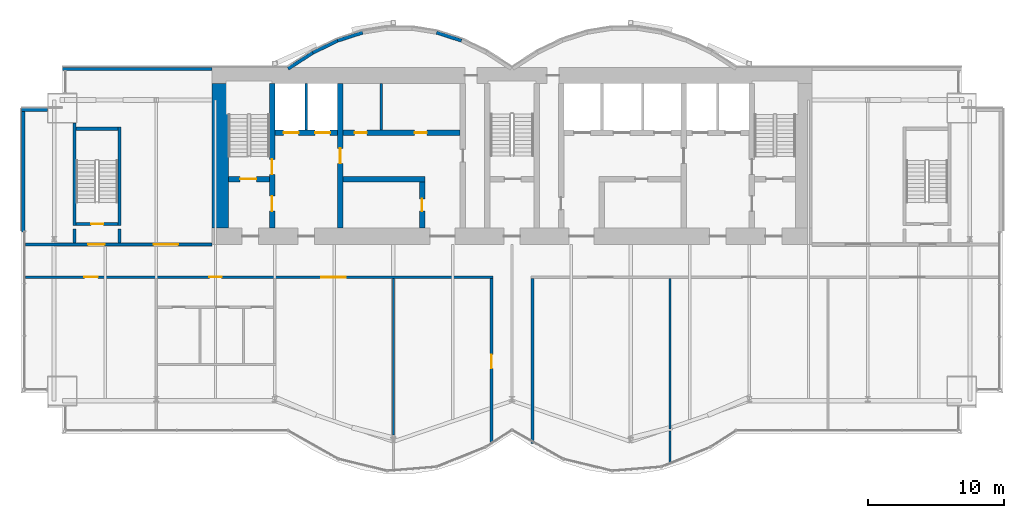
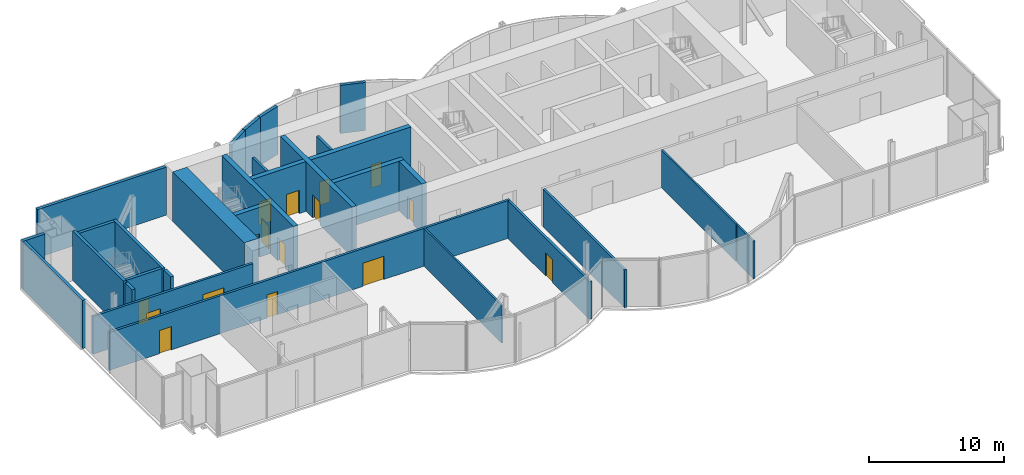
# One storey, part 12 of 18: 29 walls, 16 doors, 16 openings.
"""IFC4 building model written with IfcOpenShell, lengths in metres."""

from ifc_helpers import new_model, si_unit, direction, frame, frame_2d, origin, place, context, subcontext, project, spatial, rectangle, extrude, material, layer, layer_set, layer_usage, type_object, element, fill, save


model = new_model("IFC4")

# Units and contexts
model_context = context("Model", 3, precision=1e-05, world=origin(), true_north=direction((0.0, 1.0)))
body_context = subcontext(model_context, "Body", "Model", "MODEL_VIEW")
ifc_project = project(units=[si_unit("LENGTHUNIT", "METRE"), si_unit("AREAUNIT", "SQUARE_METRE"), si_unit("VOLUMEUNIT", "CUBIC_METRE"), si_unit("PLANEANGLEUNIT", "RADIAN"), si_unit("MASSUNIT", "GRAM", prefix="KILO")], contexts=[model_context])

# Site, building, storey
site_placement = place(None, origin())
site = spatial("IfcSite", under=ifc_project, at=site_placement, CompositionType="ELEMENT")
building_placement = place(site_placement, origin())
building = spatial("IfcBuilding", under=site, at=building_placement, Name="Bicima Exchange Tower", CompositionType="ELEMENT")
storey_placement = place(building_placement, frame((0.0, 0.0, 302.0)))
storey = spatial("IfcBuildingStorey", under=building, at=storey_placement, Name="L68", CompositionType="ELEMENT", Elevation=302.0)

# Wall
ifc_material_1 = material(Name="Gypsum board partition")
ifc_layer_1 = layer(ifc_material_1, 0.199951171875)
ifc_layer_set_1 = layer_set([ifc_layer_1], Name="Gypsum board partition")
wall_type_1 = type_object("IfcWallType", Name="Fire-rated gypsum partition 200 EI120", PredefinedType="PARTITIONING", material=ifc_layer_set_1)
wall_1_placement = place(storey_placement, frame((-15.10009765625, -4.60009765625, 0.0), z_axis=(0.0, 0.0, 1.0), x_axis=(0.0, 1.0, 0.0)))
element("IfcWall", 1, at=wall_1_placement, inside=storey, type_object=wall_type_1, Name="partition wall 9", PredefinedType="PARTITIONING", context=body_context, shape_type="SweptSolid", body=[
    extrude(rectangle(XDim=3.400146484375, YDim=0.199951171875, at=frame_2d((1.7001953125, 0.0))), origin(), (0.0, 0.0, 1.0), 3.418212890625),
])

# Wall, openings, doors
ifc_layer_2 = layer(ifc_material_1, 0.199951171875)
ifc_layer_set_2 = layer_set([ifc_layer_2], Name="Gypsum board partition")
wall_type_2 = type_object("IfcWallType", Name="Fire-rated gypsum partition 200 EI60", PredefinedType="PARTITIONING", material=ifc_layer_set_2)
wall_2_placement = place(storey_placement, frame((-35.679931640625, -15.39990234375, 0.0), z_axis=(0.0, 0.0, 1.0), x_axis=(1.0, 0.0, 0.0)))
wall_2 = element("IfcWall", 2, at=wall_2_placement, inside=storey, type_object=wall_type_2, Name="partition wall 3", PredefinedType="PARTITIONING", context=body_context, shape_type="SweptSolid", body=[
    extrude(rectangle(XDim=34.280029296875, YDim=0.199951171875, at=frame_2d((17.14013671875, 0.0))), origin(), (0.0, 0.0, 1.0), 3.418212890625),
])
opening_1_placement = place(wall_2_placement, frame((4.300048828125, 0.0, 0.0)))
opening_1 = element("IfcOpeningElement", 3, at=opening_1_placement, cuts=wall_2, Name="Opening L68-007", PredefinedType="OPENING", context=body_context, shape_type="SweptSolid", body=[
    extrude(rectangle(XDim=1.0, YDim=2.10009765625, at=frame_2d((0.5, 1.050048828125))), frame((0.0, 0.11181640625, 0.0), z_axis=(0.0, -1.0, 0.0), x_axis=(1.0, 0.0, 0.0)), (0.0, 0.0, 1.0), 0.223876953125),
])
opening_2_placement = place(wall_2_placement, frame((13.47998046875, 0.0, 0.0)))
opening_2 = element("IfcOpeningElement", 4, at=opening_2_placement, cuts=wall_2, Name="Opening L68-008", PredefinedType="OPENING", context=body_context, shape_type="SweptSolid", body=[
    extrude(rectangle(XDim=0.89990234375, YDim=2.10009765625, at=frame_2d((0.449951171875, 1.050048828125))), frame((0.0, 0.11181640625, 0.0), z_axis=(0.0, -1.0, 0.0), x_axis=(1.0, 0.0, 0.0)), (0.0, 0.0, 1.0), 0.223876953125),
])
opening_3_placement = place(wall_2_placement, frame((21.679931640625, 0.0, 0.0)))
opening_3 = element("IfcOpeningElement", 5, at=opening_3_placement, cuts=wall_2, Name="Opening L68-012", PredefinedType="OPENING", context=body_context, shape_type="SweptSolid", body=[
    extrude(rectangle(XDim=1.800048828125, YDim=2.10009765625, at=frame_2d((0.89990234375, 1.050048828125))), frame((0.0, 0.11181640625, 0.0), z_axis=(0.0, -1.0, 0.0), x_axis=(1.0, 0.0, 0.0)), (0.0, 0.0, 1.0), 0.223876953125),
])
ifc_material_2 = material(Name="Steel fire door leaf", Category="steel")
door_type_1 = type_object("IfcDoorType", Name="Door 1000 swing FD30S", OperationType="SINGLE_SWING_LEFT", PredefinedType="DOOR", material=ifc_material_2)
door_1_placement = place(opening_1_placement, frame((1.0, 0.0, 0.0), z_axis=(0.0, 0.0, 1.0), x_axis=(-1.0, 0.0, 0.0)))
door_1 = element("IfcDoor", 6, at=door_1_placement, inside=storey, type_object=door_type_1, Name="Door", OperationType="SINGLE_SWING_LEFT", OverallHeight=2.10009765625, OverallWidth=1.0, PredefinedType="DOOR", context=body_context, shape_type="SweptSolid", body=[
    extrude(rectangle(XDim=1.0, YDim=2.10009765625, at=frame_2d((0.5, 1.050048828125))), frame((0.0, 0.02490234375, 0.0), z_axis=(0.0, -1.0, 0.0), x_axis=(1.0, 0.0, 0.0)), (0.0, 0.0, 1.0), 0.050048828125),
])
fill(opening_1, door_1)
door_type_2 = type_object("IfcDoorType", Name="Door 1800 double swing FD30S", OperationType="DOUBLE_DOOR_SINGLE_SWING", PredefinedType="DOOR", material=ifc_material_2)
door_2_placement = place(opening_3_placement, origin())
door_2 = element("IfcDoor", 7, at=door_2_placement, inside=storey, type_object=door_type_2, Name="Door", OperationType="SINGLE_SWING_LEFT", OverallHeight=2.10009765625, OverallWidth=1.800048828125, PredefinedType="DOOR", context=body_context, shape_type="SweptSolid", body=[
    extrude(rectangle(XDim=1.800048828125, YDim=2.10009765625, at=frame_2d((0.89990234375, 1.050048828125))), frame((0.0, 0.02490234375, 0.0), z_axis=(0.0, -1.0, 0.0), x_axis=(1.0, 0.0, 0.0)), (0.0, 0.0, 1.0), 0.050048828125),
])
fill(opening_3, door_2)
door_type_3 = type_object("IfcDoorType", Name="Door 900 swing FD30S", OperationType="SINGLE_SWING_LEFT", PredefinedType="DOOR", material=ifc_material_2)
door_3_placement = place(opening_2_placement, frame((0.89990234375, 0.0, 0.0), z_axis=(0.0, 0.0, 1.0), x_axis=(-1.0, 0.0, 0.0)))
door_3 = element("IfcDoor", 8, at=door_3_placement, inside=storey, type_object=door_type_3, Name="Door", OperationType="SINGLE_SWING_RIGHT", OverallHeight=2.10009765625, OverallWidth=0.89990234375, PredefinedType="DOOR", context=body_context, shape_type="SweptSolid", body=[
    extrude(rectangle(XDim=0.89990234375, YDim=2.10009765625, at=frame_2d((0.449951171875, 1.050048828125))), frame((0.0, 0.02490234375, 0.0), z_axis=(0.0, -1.0, 0.0), x_axis=(1.0, 0.0, 0.0)), (0.0, 0.0, 1.0), 0.050048828125),
])
fill(opening_2, door_3)

wall_3_placement = place(storey_placement, frame((-35.679931640625, -13.0, 0.0), z_axis=(0.0, 0.0, 1.0), x_axis=(1.0, 0.0, 0.0)))
wall_3 = element("IfcWall", 9, at=wall_3_placement, inside=storey, type_object=wall_type_2, Name="partition wall 5", PredefinedType="PARTITIONING", context=body_context, shape_type="SweptSolid", body=[
    extrude(rectangle(XDim=13.679931640625, YDim=0.199951171875, at=frame_2d((6.83984375, 0.0))), origin(), (0.0, 0.0, 1.0), 3.418212890625),
])
opening_4_placement = place(wall_3_placement, frame((4.580078125, 0.0, 0.0)))
opening_4 = element("IfcOpeningElement", 10, at=opening_4_placement, cuts=wall_3, Name="Opening L68-001", PredefinedType="OPENING", context=body_context, shape_type="SweptSolid", body=[
    extrude(rectangle(XDim=1.199951171875, YDim=2.10009765625, at=frame_2d((0.60009765625, 1.050048828125))), frame((0.0, 0.11181640625, 0.0), z_axis=(0.0, -1.0, 0.0), x_axis=(1.0, 0.0, 0.0)), (0.0, 0.0, 1.0), 0.223876953125),
])
opening_5_placement = place(wall_3_placement, frame((9.3798828125, 0.0, 0.0)))
opening_5 = element("IfcOpeningElement", 11, at=opening_5_placement, cuts=wall_3, Name="Opening L68-005", PredefinedType="OPENING", context=body_context, shape_type="SweptSolid", body=[
    extrude(rectangle(XDim=1.800048828125, YDim=2.10009765625, at=frame_2d((0.89990234375, 1.050048828125))), frame((0.0, 0.11181640625, 0.0), z_axis=(0.0, -1.0, 0.0), x_axis=(1.0, 0.0, 0.0)), (0.0, 0.0, 1.0), 0.223876953125),
])
door_type_4 = type_object("IfcDoorType", Name="Door 1200 swing FD30S", OperationType="SINGLE_SWING_LEFT", PredefinedType="DOOR", material=ifc_material_2)
door_4_placement = place(opening_4_placement, origin())
door_4 = element("IfcDoor", 12, at=door_4_placement, inside=storey, type_object=door_type_4, Name="Door", OperationType="SINGLE_SWING_LEFT", OverallHeight=2.10009765625, OverallWidth=1.199951171875, PredefinedType="DOOR", context=body_context, shape_type="SweptSolid", body=[
    extrude(rectangle(XDim=1.199951171875, YDim=2.10009765625, at=frame_2d((0.60009765625, 1.050048828125))), frame((0.0, 0.02490234375, 0.0), z_axis=(0.0, -1.0, 0.0), x_axis=(1.0, 0.0, 0.0)), (0.0, 0.0, 1.0), 0.050048828125),
])
fill(opening_4, door_4)
door_5_placement = place(opening_5_placement, origin())
door_5 = element("IfcDoor", 13, at=door_5_placement, inside=storey, type_object=door_type_2, Name="Door", OperationType="SINGLE_SWING_LEFT", OverallHeight=2.10009765625, OverallWidth=1.800048828125, PredefinedType="DOOR", context=body_context, shape_type="SweptSolid", body=[
    extrude(rectangle(XDim=1.800048828125, YDim=2.10009765625, at=frame_2d((0.89990234375, 1.050048828125))), frame((0.0, 0.02490234375, 0.0), z_axis=(0.0, -1.0, 0.0), x_axis=(1.0, 0.0, 0.0)), (0.0, 0.0, 1.0), 0.050048828125),
])
fill(opening_5, door_5)

# Wall, opening, door
wall_4_placement = place(storey_placement, frame((-1.5, -27.590087890625, 0.0), z_axis=(0.0, 0.0, 1.0), x_axis=(0.0, 1.0, 0.0)))
wall_4 = element("IfcWall", 14, at=wall_4_placement, inside=storey, type_object=wall_type_2, Name="partition wall 19", PredefinedType="PARTITIONING", context=body_context, shape_type="SweptSolid", body=[
    extrude(rectangle(XDim=12.090087890625, YDim=0.199951171875, at=frame_2d((6.044921875, 0.0))), origin(), (0.0, 0.0, 1.0), 3.418212890625),
])
opening_6_placement = place(wall_4_placement, frame((5.5, 0.0, 0.0)))
opening_6 = element("IfcOpeningElement", 15, at=opening_6_placement, cuts=wall_4, Name="Opening L68-013", PredefinedType="OPENING", context=body_context, shape_type="SweptSolid", body=[
    extrude(rectangle(XDim=1.0, YDim=2.10009765625, at=frame_2d((0.5, 1.050048828125))), frame((0.0, 0.11181640625, 0.0), z_axis=(0.0, -1.0, 0.0), x_axis=(1.0, 0.0, 0.0)), (0.0, 0.0, 1.0), 0.223876953125),
])
door_6_placement = place(opening_6_placement, origin())
door_6 = element("IfcDoor", 16, at=door_6_placement, inside=storey, type_object=door_type_1, Name="Door", OperationType="SINGLE_SWING_LEFT", OverallHeight=2.10009765625, OverallWidth=1.0, PredefinedType="DOOR", context=body_context, shape_type="SweptSolid", body=[
    extrude(rectangle(XDim=1.0, YDim=2.10009765625, at=frame_2d((0.5, 1.050048828125))), frame((0.0, 0.02490234375, 0.0), z_axis=(0.0, -1.0, 0.0), x_axis=(1.0, 0.0, 0.0)), (0.0, 0.0, 1.0), 0.050048828125),
])
fill(opening_6, door_6)

# Walls
wall_5_placement = place(storey_placement, frame((1.5, -27.590087890625, 0.0), z_axis=(0.0, 0.0, 1.0), x_axis=(0.0, 1.0, 0.0)))
element("IfcWall", 17, at=wall_5_placement, inside=storey, type_object=wall_type_2, Name="partition wall 20", PredefinedType="PARTITIONING", context=body_context, shape_type="SweptSolid", body=[
    extrude(rectangle(XDim=12.090087890625, YDim=0.199951171875, at=frame_2d((6.044921875, 0.0))), origin(), (0.0, 0.0, 1.0), 3.418212890625),
])
wall_6_placement = place(storey_placement, frame((-9.60009765625, -4.60009765625, 0.0), z_axis=(0.0, 0.0, 1.0), x_axis=(0.0, 1.0, 0.0)))
element("IfcWall", 18, at=wall_6_placement, inside=storey, type_object=wall_type_2, Name="partition wall 11", PredefinedType="PARTITIONING", context=body_context, shape_type="SweptSolid", body=[
    extrude(rectangle(XDim=3.400146484375, YDim=0.199951171875, at=frame_2d((1.7001953125, 0.0))), origin(), (0.0, 0.0, 1.0), 3.418212890625),
])
ifc_layer_3 = layer(ifc_material_1, 0.14990234375)
ifc_layer_set_3 = layer_set([ifc_layer_3], Name="Gypsum board partition")
wall_type_3 = type_object("IfcWallType", Name="Gypsum partition 150", PredefinedType="PARTITIONING", material=ifc_layer_set_3)
wall_7_placement = place(storey_placement, frame((-8.699951171875, -26.983154296875, 0.0), z_axis=(0.0, 0.0, 1.0), x_axis=(0.0, 1.0, 0.0)))
element("IfcWall", 19, at=wall_7_placement, inside=storey, type_object=wall_type_3, Name="partition wall 18", PredefinedType="PARTITIONING", context=body_context, shape_type="SweptSolid", body=[
    extrude(rectangle(XDim=11.483154296875, YDim=0.14990234375, at=frame_2d((5.74169921875, 0.0))), origin(), (0.0, 0.0, 1.0), 3.418212890625),
])
wall_8_placement = place(storey_placement, frame((11.60009765625, -29.1201171875, 0.0), z_axis=(0.0, 0.0, 1.0), x_axis=(0.0, 1.0, 0.0)))
element("IfcWall", 20, at=wall_8_placement, inside=storey, type_object=wall_type_3, Name="partition wall 21", PredefinedType="PARTITIONING", context=body_context, shape_type="SweptSolid", body=[
    extrude(rectangle(XDim=2.418212890625, YDim=0.14990234375, at=frame_2d((1.208984375, 0.0))), origin(), (0.0, 0.0, 1.0), 3.418212890625),
])
wall_9_placement = place(storey_placement, frame((11.60009765625, -26.55908203125, 0.0), z_axis=(0.0, 0.0, 1.0), x_axis=(0.0, 1.0, 0.0)))
element("IfcWall", 21, at=wall_9_placement, inside=storey, type_object=wall_type_3, Name="partition wall 22", PredefinedType="PARTITIONING", context=body_context, shape_type="SweptSolid", body=[
    extrude(rectangle(XDim=11.05908203125, YDim=0.14990234375, at=frame_2d((5.529541015625, 0.0))), origin(), (0.0, 0.0, 1.0), 3.418212890625),
])
ifc_material_3 = material(Name="Concrete C40/50", Category="concrete")
ifc_layer_4 = layer(ifc_material_3, 1.199951171875)
ifc_layer_set_4 = layer_set([ifc_layer_4], Name="Concrete C40/50")
wall_type_4 = type_object("IfcWallType", Name="RC core wall 1200 C40/50", PredefinedType="SHEAR", material=ifc_layer_set_4)
wall_10_placement = place(storey_placement, frame((-21.39990234375, -11.800048828125, 0.0), z_axis=(0.0, 0.0, 1.0), x_axis=(0.0, 1.0, 0.0)))
element("IfcWall", 22, at=wall_10_placement, inside=storey, type_object=wall_type_4, Name="Core wall west", PredefinedType="SHEAR", context=body_context, shape_type="SweptSolid", body=[
    extrude(rectangle(XDim=10.60009765625, YDim=1.199951171875, at=frame_2d((5.300048828125, 0.0))), origin(), (0.0, 0.0, 1.0), 4.5),
])
ifc_material_4 = material(Name="Concrete C50/60", Category="concrete")
ifc_layer_5 = layer(ifc_material_4, 0.25)
ifc_layer_set_5 = layer_set([ifc_layer_5], Name="Concrete C50/60")
wall_type_5 = type_object("IfcWallType", Name="RC core wall 250 C50/60", PredefinedType="SHEAR", material=ifc_layer_set_5)
for number, where, z_axis, x_axis, name in (
    (23, (-32.10009765625, -12.89990234375, 0.0), (0.0, 0.0, 1.0), (0.0, 1.0, 0.0), "stair wall 11"),
    (24, (-28.800048828125, -12.89990234375, 0.0), (0.0, 0.0, 1.0), (0.0, 1.0, 0.0), "stair wall 12"),
):
    element("IfcWall", number, at=place(storey_placement, frame(where, z_axis=z_axis, x_axis=x_axis)), inside=storey, type_object=wall_type_5, Name=name, PredefinedType="SHEAR", context=body_context, shape_type="SweptSolid", body=[
        extrude(rectangle(XDim=1.0498046875, YDim=0.25, at=frame_2d((0.52490234375, 0.0))), origin(), (0.0, 0.0, 1.0), 4.5),
    ])
ifc_layer_6 = layer(ifc_material_3, 0.39990234375)
ifc_layer_set_6 = layer_set([ifc_layer_6], Name="Concrete C40/50")
wall_type_6 = type_object("IfcWallType", Name="RC core wall 400 C40/50", PredefinedType="SHEAR", material=ifc_layer_set_6)
wall_11_placement = place(storey_placement, frame((-12.39990234375, -8.199951171875, 0.0), z_axis=(0.0, 0.0, 1.0), x_axis=(1.0, 0.0, 0.0)))
element("IfcWall", 25, at=wall_11_placement, inside=storey, type_object=wall_type_6, Name="shear wall 2", PredefinedType="SHEAR", context=body_context, shape_type="SweptSolid", body=[
    extrude(rectangle(XDim=6.0, YDim=0.39990234375, at=frame_2d((3.0, 0.0))), origin(), (0.0, 0.0, 1.0), 4.5),
])

# Wall, openings, doors
wall_12_placement = place(storey_placement, frame((-17.39990234375, -4.800048828125, 0.0), z_axis=(0.0, 0.0, 1.0), x_axis=(1.0, 0.0, 0.0)))
wall_12 = element("IfcWall", 26, at=wall_12_placement, inside=storey, type_object=wall_type_6, Name="shear wall 6", PredefinedType="SHEAR", context=body_context, shape_type="SweptSolid", body=[
    extrude(rectangle(XDim=13.599853515625, YDim=0.39990234375, at=frame_2d((6.7998046875, 0.0))), origin(), (0.0, 0.0, 1.0), 4.5),
])
opening_7_placement = place(wall_12_placement, frame((0.64990234375, 0.0, 0.0)))
opening_7 = element("IfcOpeningElement", 27, at=opening_7_placement, cuts=wall_12, Name="Opening LD-FF1-L68", PredefinedType="OPENING", context=body_context, shape_type="SweptSolid", body=[
    extrude(rectangle(XDim=1.10009765625, YDim=2.10009765625, at=frame_2d((0.550048828125, 1.050048828125))), frame((0.0, 0.2119140625, 0.0), z_axis=(0.0, -1.0, 0.0), x_axis=(1.0, 0.0, 0.0)), (0.0, 0.0, 1.0), 0.423828125),
])
opening_8_placement = place(wall_12_placement, frame((2.949951171875, 0.0, 0.0)))
opening_8 = element("IfcOpeningElement", 28, at=opening_8_placement, cuts=wall_12, Name="Opening LD-FF3-L68", PredefinedType="OPENING", context=body_context, shape_type="SweptSolid", body=[
    extrude(rectangle(XDim=1.10009765625, YDim=2.10009765625, at=frame_2d((0.550048828125, 1.050048828125))), frame((0.0, 0.2119140625, 0.0), z_axis=(0.0, -1.0, 0.0), x_axis=(1.0, 0.0, 0.0)), (0.0, 0.0, 1.0), 0.423828125),
])
opening_9_placement = place(wall_12_placement, frame((5.85009765625, 0.0, 0.0)))
opening_9 = element("IfcOpeningElement", 29, at=opening_9_placement, cuts=wall_12, Name="Opening L68-C12", PredefinedType="OPENING", context=body_context, shape_type="SweptSolid", body=[
    extrude(rectangle(XDim=0.89990234375, YDim=2.10009765625, at=frame_2d((0.449951171875, 1.050048828125))), frame((0.0, 0.2119140625, 0.0), z_axis=(0.0, -1.0, 0.0), x_axis=(1.0, 0.0, 0.0)), (0.0, 0.0, 1.0), 0.423828125),
])
opening_10_placement = place(wall_12_placement, frame((10.25, 0.0, 0.0)))
opening_10 = element("IfcOpeningElement", 30, at=opening_10_placement, cuts=wall_12, Name="Opening L68-C13", PredefinedType="OPENING", context=body_context, shape_type="SweptSolid", body=[
    extrude(rectangle(XDim=0.89990234375, YDim=2.10009765625, at=frame_2d((0.449951171875, 1.050048828125))), frame((0.0, 0.2119140625, 0.0), z_axis=(0.0, -1.0, 0.0), x_axis=(1.0, 0.0, 0.0)), (0.0, 0.0, 1.0), 0.423828125),
])
door_7_placement = place(opening_9_placement, origin())
door_7 = element("IfcDoor", 31, at=door_7_placement, inside=storey, type_object=door_type_3, Name="Core door", OperationType="SINGLE_SWING_RIGHT", OverallHeight=2.10009765625, OverallWidth=0.89990234375, PredefinedType="DOOR", context=body_context, shape_type="SweptSolid", body=[
    extrude(rectangle(XDim=0.89990234375, YDim=2.10009765625, at=frame_2d((0.449951171875, 1.050048828125))), frame((0.0, 0.02490234375, 0.0), z_axis=(0.0, -1.0, 0.0), x_axis=(1.0, 0.0, 0.0)), (0.0, 0.0, 1.0), 0.050048828125),
])
fill(opening_9, door_7)
door_8_placement = place(opening_10_placement, origin())
door_8 = element("IfcDoor", 32, at=door_8_placement, inside=storey, type_object=door_type_3, Name="Core door", OperationType="SINGLE_SWING_LEFT", OverallHeight=2.10009765625, OverallWidth=0.89990234375, PredefinedType="DOOR", context=body_context, shape_type="SweptSolid", body=[
    extrude(rectangle(XDim=0.89990234375, YDim=2.10009765625, at=frame_2d((0.449951171875, 1.050048828125))), frame((0.0, 0.02490234375, 0.0), z_axis=(0.0, -1.0, 0.0), x_axis=(1.0, 0.0, 0.0)), (0.0, 0.0, 1.0), 0.050048828125),
])
fill(opening_10, door_8)
ifc_material_5 = material(Name="Stainless steel", Category="steel")
door_type_5 = type_object("IfcDoorType", Name="Lift landing door 1100 sliding", OperationType="DOUBLE_DOOR_SLIDING", PredefinedType="DOOR", material=ifc_material_5)
door_9_placement = place(opening_7_placement, origin())
door_9 = element("IfcDoor", 33, at=door_9_placement, inside=storey, type_object=door_type_5, Name="Lift landing door FF1", OperationType="DOUBLE_DOOR_SLIDING", OverallHeight=2.10009765625, OverallWidth=1.10009765625, PredefinedType="DOOR", context=body_context, shape_type="SweptSolid", body=[
    extrude(rectangle(XDim=1.10009765625, YDim=2.10009765625, at=frame_2d((0.550048828125, 1.050048828125))), frame((0.0, 0.02490234375, 0.0), z_axis=(0.0, -1.0, 0.0), x_axis=(1.0, 0.0, 0.0)), (0.0, 0.0, 1.0), 0.050048828125),
])
fill(opening_7, door_9)
door_10_placement = place(opening_8_placement, origin())
door_10 = element("IfcDoor", 34, at=door_10_placement, inside=storey, type_object=door_type_5, Name="Lift landing door FF3", OperationType="DOUBLE_DOOR_SLIDING", OverallHeight=2.10009765625, OverallWidth=1.10009765625, PredefinedType="DOOR", context=body_context, shape_type="SweptSolid", body=[
    extrude(rectangle(XDim=1.10009765625, YDim=2.10009765625, at=frame_2d((0.550048828125, 1.050048828125))), frame((0.0, 0.02490234375, 0.0), z_axis=(0.0, -1.0, 0.0), x_axis=(1.0, 0.0, 0.0)), (0.0, 0.0, 1.0), 0.050048828125),
])
fill(opening_8, door_10)

# Wall, opening, door
wall_13_placement = place(storey_placement, frame((-12.60009765625, -11.800048828125, 0.0), z_axis=(0.0, 0.0, 1.0), x_axis=(0.0, 1.0, 0.0)))
wall_13 = element("IfcWall", 35, at=wall_13_placement, inside=storey, type_object=wall_type_6, Name="shear wall 10", PredefinedType="SHEAR", context=body_context, shape_type="SweptSolid", body=[
    extrude(rectangle(XDim=10.60009765625, YDim=0.39990234375, at=frame_2d((5.300048828125, 0.0))), origin(), (0.0, 0.0, 1.0), 4.5),
])
opening_11_placement = place(wall_13_placement, frame((4.75, 0.0, 0.0)))
opening_11 = element("IfcOpeningElement", 36, at=opening_11_placement, cuts=wall_13, Name="Opening L68-C07", PredefinedType="OPENING", context=body_context, shape_type="SweptSolid", body=[
    extrude(rectangle(XDim=1.10009765625, YDim=2.10009765625, at=frame_2d((0.550048828125, 1.050048828125))), frame((0.0, 0.2119140625, 0.0), z_axis=(0.0, -1.0, 0.0), x_axis=(1.0, 0.0, 0.0)), (0.0, 0.0, 1.0), 0.423828125),
])
door_type_6 = type_object("IfcDoorType", Name="Door 1100 swing FD60S", OperationType="SINGLE_SWING_LEFT", PredefinedType="DOOR", material=ifc_material_2)
door_11_placement = place(opening_11_placement, origin())
door_11 = element("IfcDoor", 37, at=door_11_placement, inside=storey, type_object=door_type_6, Name="Core door", OperationType="SINGLE_SWING_LEFT", OverallHeight=2.10009765625, OverallWidth=1.10009765625, PredefinedType="DOOR", context=body_context, shape_type="SweptSolid", body=[
    extrude(rectangle(XDim=1.10009765625, YDim=2.10009765625, at=frame_2d((0.550048828125, 1.050048828125))), frame((0.0, 0.02490234375, 0.0), z_axis=(0.0, -1.0, 0.0), x_axis=(1.0, 0.0, 0.0)), (0.0, 0.0, 1.0), 0.050048828125),
])
fill(opening_11, door_11)

wall_14_placement = place(storey_placement, frame((-6.60009765625, -11.800048828125, 0.0), z_axis=(0.0, 0.0, 1.0), x_axis=(0.0, 1.0, 0.0)))
wall_14 = element("IfcWall", 38, at=wall_14_placement, inside=storey, type_object=wall_type_6, Name="shear wall 12", PredefinedType="SHEAR", context=body_context, shape_type="SweptSolid", body=[
    extrude(rectangle(XDim=3.400146484375, YDim=0.39990234375, at=frame_2d((1.7001953125, 0.0))), origin(), (0.0, 0.0, 1.0), 4.5),
])
opening_12_placement = place(wall_14_placement, frame((1.25, 0.0, 0.0)))
opening_12 = element("IfcOpeningElement", 39, at=opening_12_placement, cuts=wall_14, Name="Opening L68-C14", PredefinedType="OPENING", context=body_context, shape_type="SweptSolid", body=[
    extrude(rectangle(XDim=0.89990234375, YDim=2.10009765625, at=frame_2d((0.449951171875, 1.050048828125))), frame((0.0, 0.2119140625, 0.0), z_axis=(0.0, -1.0, 0.0), x_axis=(1.0, 0.0, 0.0)), (0.0, 0.0, 1.0), 0.423828125),
])
door_12_placement = place(opening_12_placement, origin())
door_12 = element("IfcDoor", 40, at=door_12_placement, inside=storey, type_object=door_type_3, Name="Core door", OperationType="SINGLE_SWING_RIGHT", OverallHeight=2.10009765625, OverallWidth=0.89990234375, PredefinedType="DOOR", context=body_context, shape_type="SweptSolid", body=[
    extrude(rectangle(XDim=0.89990234375, YDim=2.10009765625, at=frame_2d((0.449951171875, 1.050048828125))), frame((0.0, 0.02490234375, 0.0), z_axis=(0.0, -1.0, 0.0), x_axis=(1.0, 0.0, 0.0)), (0.0, 0.0, 1.0), 0.050048828125),
])
fill(opening_12, door_12)

ifc_layer_7 = layer(ifc_material_4, 0.39990234375)
ifc_layer_set_7 = layer_set([ifc_layer_7], Name="Concrete C50/60")
wall_type_7 = type_object("IfcWallType", Name="RC core wall 400 C50/60", PredefinedType="SHEAR", material=ifc_layer_set_7)
wall_15_placement = place(storey_placement, frame((-20.800048828125, -8.199951171875, 0.0), z_axis=(0.0, 0.0, 1.0), x_axis=(1.0, 0.0, 0.0)))
wall_15 = element("IfcWall", 41, at=wall_15_placement, inside=storey, type_object=wall_type_7, Name="stair wall 1", PredefinedType="SHEAR", context=body_context, shape_type="SweptSolid", body=[
    extrude(rectangle(XDim=3.0, YDim=0.39990234375, at=frame_2d((1.5, 0.0))), origin(), (0.0, 0.0, 1.0), 4.5),
])
opening_13_placement = place(wall_15_placement, frame((0.85009765625, 0.0, 0.0)))
opening_13 = element("IfcOpeningElement", 42, at=opening_13_placement, cuts=wall_15, Name="Opening L68-C01", PredefinedType="OPENING", context=body_context, shape_type="SweptSolid", body=[
    extrude(rectangle(XDim=1.199951171875, YDim=2.10009765625, at=frame_2d((0.60009765625, 1.050048828125))), frame((0.0, 0.2119140625, 0.0), z_axis=(0.0, -1.0, 0.0), x_axis=(1.0, 0.0, 0.0)), (0.0, 0.0, 1.0), 0.423828125),
])
door_type_7 = type_object("IfcDoorType", Name="Door 1200 swing FD60S", OperationType="SINGLE_SWING_LEFT", PredefinedType="DOOR", material=ifc_material_2)
door_13_placement = place(opening_13_placement, origin())
door_13 = element("IfcDoor", 43, at=door_13_placement, inside=storey, type_object=door_type_7, Name="Core door", OperationType="SINGLE_SWING_LEFT", OverallHeight=2.10009765625, OverallWidth=1.199951171875, PredefinedType="DOOR", context=body_context, shape_type="SweptSolid", body=[
    extrude(rectangle(XDim=1.199951171875, YDim=2.10009765625, at=frame_2d((0.60009765625, 1.050048828125))), frame((0.0, 0.02490234375, 0.0), z_axis=(0.0, -1.0, 0.0), x_axis=(1.0, 0.0, 0.0)), (0.0, 0.0, 1.0), 0.050048828125),
])
fill(opening_13, door_13)

# Wall, openings, doors
wall_16_placement = place(storey_placement, frame((-17.60009765625, -11.800048828125, 0.0), z_axis=(0.0, 0.0, 1.0), x_axis=(0.0, 1.0, 0.0)))
wall_16 = element("IfcWall", 44, at=wall_16_placement, inside=storey, type_object=wall_type_7, Name="stair wall 8", PredefinedType="SHEAR", context=body_context, shape_type="SweptSolid", body=[
    extrude(rectangle(XDim=10.60009765625, YDim=0.39990234375, at=frame_2d((5.300048828125, 0.0))), origin(), (0.0, 0.0, 1.0), 4.5),
])
opening_14_placement = place(wall_16_placement, frame((1.25, 0.0, 0.0)))
opening_14 = element("IfcOpeningElement", 45, at=opening_14_placement, cuts=wall_16, Name="Opening L68-C02", PredefinedType="OPENING", context=body_context, shape_type="SweptSolid", body=[
    extrude(rectangle(XDim=1.10009765625, YDim=2.10009765625, at=frame_2d((0.550048828125, 1.050048828125))), frame((0.0, 0.2119140625, 0.0), z_axis=(0.0, -1.0, 0.0), x_axis=(1.0, 0.0, 0.0)), (0.0, 0.0, 1.0), 0.423828125),
])
opening_15_placement = place(wall_16_placement, frame((3.949951171875, 0.0, 0.0)))
opening_15 = element("IfcOpeningElement", 46, at=opening_15_placement, cuts=wall_16, Name="Opening L68-C06", PredefinedType="OPENING", context=body_context, shape_type="SweptSolid", body=[
    extrude(rectangle(XDim=1.10009765625, YDim=2.10009765625, at=frame_2d((0.550048828125, 1.050048828125))), frame((0.0, 0.2119140625, 0.0), z_axis=(0.0, -1.0, 0.0), x_axis=(1.0, 0.0, 0.0)), (0.0, 0.0, 1.0), 0.423828125),
])
door_14_placement = place(opening_14_placement, frame((1.10009765625, 0.0, 0.0), z_axis=(0.0, 0.0, 1.0), x_axis=(-1.0, 0.0, 0.0)))
door_14 = element("IfcDoor", 47, at=door_14_placement, inside=storey, type_object=door_type_6, Name="Core door", OperationType="SINGLE_SWING_LEFT", OverallHeight=2.10009765625, OverallWidth=1.10009765625, PredefinedType="DOOR", context=body_context, shape_type="SweptSolid", body=[
    extrude(rectangle(XDim=1.10009765625, YDim=2.10009765625, at=frame_2d((0.550048828125, 1.050048828125))), frame((0.0, 0.02490234375, 0.0), z_axis=(0.0, -1.0, 0.0), x_axis=(1.0, 0.0, 0.0)), (0.0, 0.0, 1.0), 0.050048828125),
])
fill(opening_14, door_14)
door_15_placement = place(opening_15_placement, frame((1.10009765625, 0.0, 0.0), z_axis=(0.0, 0.0, 1.0), x_axis=(-1.0, 0.0, 0.0)))
door_15 = element("IfcDoor", 48, at=door_15_placement, inside=storey, type_object=door_type_6, Name="Core door", OperationType="SINGLE_SWING_LEFT", OverallHeight=2.10009765625, OverallWidth=1.10009765625, PredefinedType="DOOR", context=body_context, shape_type="SweptSolid", body=[
    extrude(rectangle(XDim=1.10009765625, YDim=2.10009765625, at=frame_2d((0.550048828125, 1.050048828125))), frame((0.0, 0.02490234375, 0.0), z_axis=(0.0, -1.0, 0.0), x_axis=(1.0, 0.0, 0.0)), (0.0, 0.0, 1.0), 0.050048828125),
])
fill(opening_15, door_15)

# Walls
ifc_layer_8 = layer(ifc_material_4, 0.25)
ifc_layer_set_8 = layer_set([ifc_layer_8], Name="Concrete C50/60")
wall_type_8 = type_object("IfcWallType", Name="RC stair enclosure wall 250 C50/60", PredefinedType="SHEAR", material=ifc_layer_set_8)
wall_17_placement = place(storey_placement, frame((-32.10009765625, -11.625, 0.0), z_axis=(0.0, 0.0, 1.0), x_axis=(0.0, 1.0, 0.0)))
element("IfcWall", 49, at=wall_17_placement, inside=storey, type_object=wall_type_8, Name="West end exit stair wall W", PredefinedType="SHEAR", context=body_context, shape_type="SweptSolid", body=[
    extrude(rectangle(XDim=7.52490234375, YDim=0.25, at=frame_2d((3.762451171875, 0.0))), origin(), (0.0, 0.0, 1.0), 4.5),
])
wall_18_placement = place(storey_placement, frame((-28.800048828125, -11.625, 0.0), z_axis=(0.0, 0.0, 1.0), x_axis=(0.0, 1.0, 0.0)))
element("IfcWall", 50, at=wall_18_placement, inside=storey, type_object=wall_type_8, Name="West end exit stair wall E", PredefinedType="SHEAR", context=body_context, shape_type="SweptSolid", body=[
    extrude(rectangle(XDim=7.25, YDim=0.25, at=frame_2d((3.625, 0.0))), origin(), (0.0, 0.0, 1.0), 4.5),
])

# Wall, opening, door
wall_19_placement = place(storey_placement, frame((-31.97509765625, -11.5, 0.0), z_axis=(0.0, 0.0, 1.0), x_axis=(1.0, 0.0, 0.0)))
wall_19 = element("IfcWall", 51, at=wall_19_placement, inside=storey, type_object=wall_type_8, Name="West end exit stair wall S", PredefinedType="SHEAR", context=body_context, shape_type="SweptSolid", body=[
    extrude(rectangle(XDim=3.050048828125, YDim=0.25, at=frame_2d((1.52490234375, 0.0))), origin(), (0.0, 0.0, 1.0), 4.5),
])
opening_16_placement = place(wall_19_placement, frame((1.10009765625, 0.0, 0.0)))
opening_16 = element("IfcOpeningElement", 52, at=opening_16_placement, cuts=wall_19, Name="Opening L68-002", PredefinedType="OPENING", context=body_context, shape_type="SweptSolid", body=[
    extrude(rectangle(XDim=0.89990234375, YDim=2.10009765625, at=frame_2d((0.449951171875, 1.050048828125))), frame((0.0, 0.136962890625, 0.0), z_axis=(0.0, -1.0, 0.0), x_axis=(1.0, 0.0, 0.0)), (0.0, 0.0, 1.0), 0.27392578125),
])
door_type_8 = type_object("IfcDoorType", Name="Door 900 swing FD60S", OperationType="SINGLE_SWING_LEFT", PredefinedType="DOOR", material=ifc_material_2)
door_16_placement = place(opening_16_placement, origin())
door_16 = element("IfcDoor", 53, at=door_16_placement, inside=storey, type_object=door_type_8, Name="Door", OperationType="SINGLE_SWING_LEFT", OverallHeight=2.10009765625, OverallWidth=0.89990234375, PredefinedType="DOOR", context=body_context, shape_type="SweptSolid", body=[
    extrude(rectangle(XDim=0.89990234375, YDim=2.10009765625, at=frame_2d((0.449951171875, 1.050048828125))), frame((0.0, 0.02490234375, 0.0), z_axis=(0.0, -1.0, 0.0), x_axis=(1.0, 0.0, 0.0)), (0.0, 0.0, 1.0), 0.050048828125),
])
fill(opening_16, door_16)

# Walls
wall_20_placement = place(storey_placement, frame((-31.97509765625, -4.5, 0.0), z_axis=(0.0, 0.0, 1.0), x_axis=(1.0, 0.0, 0.0)))
element("IfcWall", 54, at=wall_20_placement, inside=storey, type_object=wall_type_8, Name="West end exit stair wall N", PredefinedType="SHEAR", context=body_context, shape_type="SweptSolid", body=[
    extrude(rectangle(XDim=3.050048828125, YDim=0.25, at=frame_2d((1.52490234375, 0.0))), origin(), (0.0, 0.0, 1.0), 4.5),
])
ifc_layer_9 = layer(ifc_material_3, 0.25)
ifc_layer_set_9 = layer_set([ifc_layer_9], Name="Concrete C40/50")
ifc_layer_usage = layer_usage(ifc_layer_set_9, "AXIS2", "POSITIVE", -0.125)
wall_type_9 = type_object("IfcWallType", Name="Rear backup wall 250", PredefinedType="STANDARD", material=ifc_layer_set_9)
for number, where, z_axis, x_axis, name in (
    (55, (-3.705078125, 1.955078125, 0.0), (0.0, 0.0, 1.0), (-0.951495806175, 0.307661714928, 0.0), "Rear backup wall L68 13"),
    (56, (-10.961669921875, 2.5478515625, 0.0), (0.0, 0.0, 1.0), (-0.951495806175, -0.307661714928, 0.0), "Rear backup wall L68 17"),
):
    element("IfcWall", number, at=place(storey_placement, frame(where, z_axis=z_axis, x_axis=x_axis)), inside=storey, type_object=wall_type_9, material=ifc_layer_usage, Name=name, PredefinedType="STANDARD", context=body_context, shape_type="SweptSolid", body=[
        extrude(rectangle(XDim=1.9267578125, YDim=0.25, at=frame_2d((0.96337890625, 0.0))), origin(), (0.0, 0.0, 1.0), 4.35009765625),
    ])
wall_21_placement = place(storey_placement, frame((-12.77880859375, 1.961669921875, 0.0), z_axis=(0.0, 0.0, 1.0), x_axis=(-0.89982408427, -0.436252928206, 0.0)))
element("IfcWall", 57, at=wall_21_placement, inside=storey, type_object=wall_type_9, material=ifc_layer_usage, Name="Rear backup wall L68 18", PredefinedType="STANDARD", context=body_context, shape_type="SweptSolid", body=[
    extrude(rectangle(XDim=2.03759765625, YDim=0.25, at=frame_2d((1.018798828125, 0.0))), origin(), (0.0, 0.0, 1.0), 4.35009765625),
])
wall_22_placement = place(storey_placement, frame((-14.598876953125, 1.080078125, 0.0), z_axis=(0.0, 0.0, 1.0), x_axis=(-0.83981312244, -0.542875602121, 0.0)))
element("IfcWall", 58, at=wall_22_placement, inside=storey, type_object=wall_type_9, material=ifc_layer_usage, Name="Rear backup wall L68 19", PredefinedType="STANDARD", context=body_context, shape_type="SweptSolid", body=[
    extrude(rectangle(XDim=2.182861328125, YDim=0.25, at=frame_2d((1.09130859375, 0.0))), origin(), (0.0, 0.0, 1.0), 4.35009765625),
])
wall_23_placement = place(storey_placement, frame((-22.0, -0.125, 0.0), z_axis=(0.0, 0.0, 1.0), x_axis=(-1.0, 0.0, 0.0)))
element("IfcWall", 59, at=wall_23_placement, inside=storey, type_object=wall_type_9, material=ifc_layer_usage, Name="Rear backup wall L68 20", PredefinedType="STANDARD", context=body_context, shape_type="SweptSolid", body=[
    extrude(rectangle(XDim=11.0, YDim=0.25, at=frame_2d((5.5, 0.0))), origin(), (0.0, 0.0, 1.0), 4.35009765625),
])
wall_24_placement = place(storey_placement, frame((-34.10009765625, -3.125, 0.0), z_axis=(0.0, 0.0, 1.0), x_axis=(-1.0, 0.0, 0.0)))
element("IfcWall", 60, at=wall_24_placement, inside=storey, type_object=wall_type_9, material=ifc_layer_usage, Name="Rear backup wall L68 22", PredefinedType="STANDARD", context=body_context, shape_type="SweptSolid", body=[
    extrude(rectangle(XDim=1.89990234375, YDim=0.25, at=frame_2d((0.949951171875, 0.0))), origin(), (0.0, 0.0, 1.0), 4.35009765625),
])
wall_25_placement = place(storey_placement, frame((-35.875, -3.0, 0.0), z_axis=(0.0, 0.0, 1.0), x_axis=(0.0, -1.0, 0.0)))
element("IfcWall", 61, at=wall_25_placement, inside=storey, type_object=wall_type_9, material=ifc_layer_usage, Name="Rear backup wall L68 23", PredefinedType="STANDARD", context=body_context, shape_type="SweptSolid", body=[
    extrude(rectangle(XDim=9.090087890625, YDim=0.25, at=frame_2d((4.544921875, 0.0))), origin(), (0.0, 0.0, 1.0), 4.35009765625),
])

save(model, "model.ifc")
